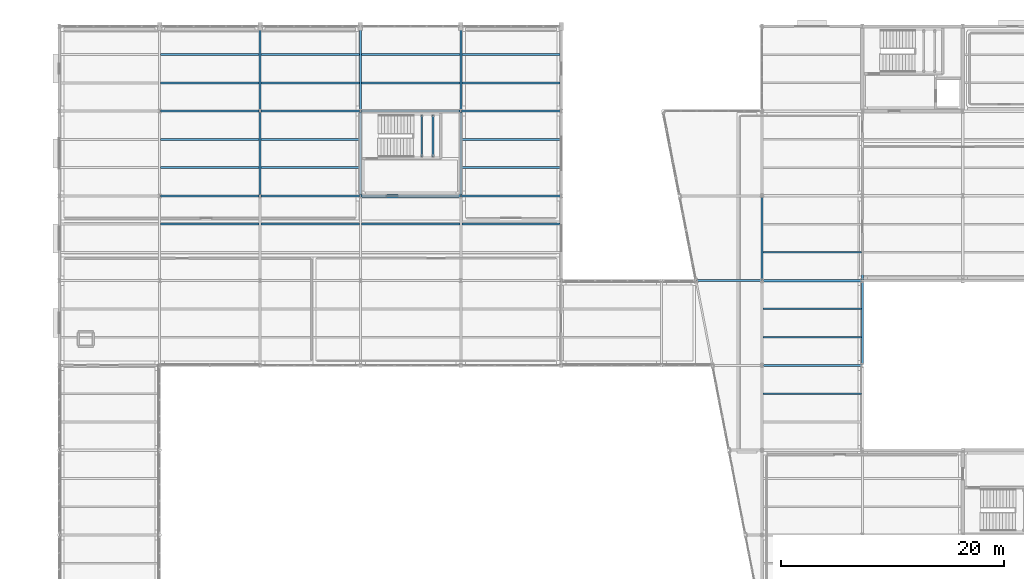
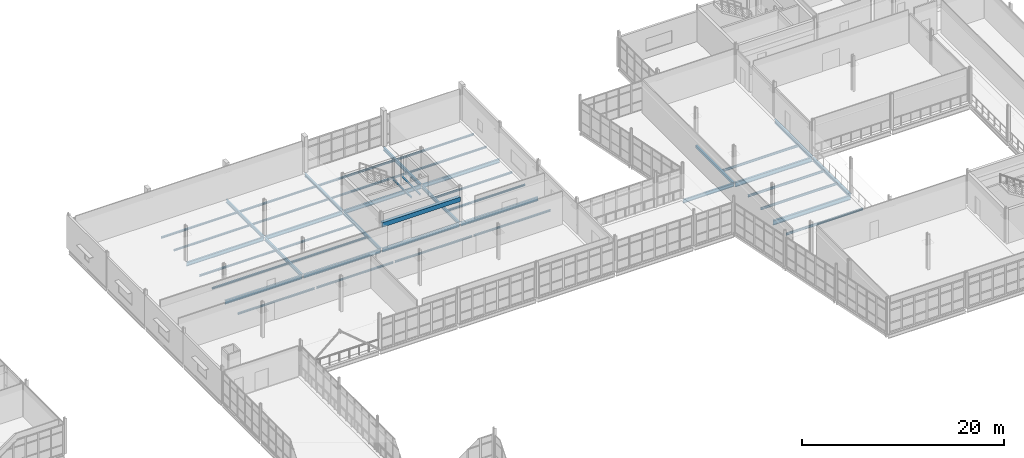
# One storey, part 98 of 174: 45 beams.
"""IFC4 building model written with IfcOpenShell, lengths in metres."""

from ifc_helpers import new_model, si_unit, direction, frame, origin, origin_2d, place, context, subcontext, project, spatial, rectangle, hollow_rectangle, i_section, extrude, material, material_profile, profile_set, type_object, element, save


model = new_model("IFC4")

# Units and contexts
model_context = context("Model", 3, precision=1e-05, world=origin(), true_north=direction((0.0, 1.0)))
body_context = subcontext(model_context, "Body", "Model", "MODEL_VIEW")
ifc_project = project(units=[si_unit("LENGTHUNIT", "METRE"), si_unit("AREAUNIT", "SQUARE_METRE"), si_unit("VOLUMEUNIT", "CUBIC_METRE"), si_unit("PLANEANGLEUNIT", "RADIAN"), si_unit("MASSUNIT", "GRAM", prefix="KILO")], contexts=[model_context])

# Site, building, storey
site_placement = place(None, origin())
site = spatial("IfcSite", under=ifc_project, at=site_placement, CompositionType="ELEMENT")
building_placement = place(site_placement, origin())
building = spatial("IfcBuilding", under=site, at=building_placement, Name="Caisbarro Railhouse Central Library", CompositionType="ELEMENT")
storey_placement = place(building_placement, frame((0.0, 0.0, 5.0400390625)))
storey = spatial("IfcBuildingStorey", under=building, at=storey_placement, Name="L01", CompositionType="ELEMENT", Elevation=5.0400390625)

# Beams
ifc_material_1 = material(Name="Steel ASTM A572 Grade 50", Category="steel")
ifc_material_profile_1 = material_profile(ifc_material_1, i_section(OverallWidth=0.208984375, OverallDepth=0.532958984375, WebThickness=0.01025390625, FlangeThickness=0.015625, FilletRadius=0.02001953125, at=origin_2d()), Name="W530X92.0")
ifc_profile_set_1 = profile_set([ifc_material_profile_1], Name="Steel ASTM A572 Grade 50")
beam_type_1 = type_object("IfcBeamType", Name="BM-G06", PredefinedType="BEAM", material=ifc_profile_set_1)
for number, where, z_axis, x_axis, name in (
    (1, (117.080078125, 83.60009765625, -0.486572265625), (1.0, 0.0, 0.0), (0.0, 1.0, 0.0), "G06 beam L01 #913"),
    (2, (117.080078125, 91.199951171875, -0.486572265625), (1.0, 0.0, 0.0), (0.0, 1.0, 0.0), "G06 beam L01 #915"),
):
    element("IfcBeam", number, at=place(storey_placement, frame(where, z_axis=z_axis, x_axis=x_axis)), inside=storey, type_object=beam_type_1, Name=name, PredefinedType="BEAM", context=body_context, shape_type="SweptSolid", body=[
        extrude(i_section(OverallWidth=0.208984375, OverallDepth=0.532958984375, WebThickness=0.01025390625, FlangeThickness=0.015625, FilletRadius=0.02001953125, at=origin_2d()), origin(), (0.0, 0.0, 1.0), 8.83984375),
    ])
ifc_material_profile_2 = material_profile(ifc_material_1, i_section(OverallWidth=0.18994140625, OverallDepth=0.45703125, WebThickness=0.009033203125, FlangeThickness=0.014404296875, FilletRadius=0.01806640625, at=origin_2d()), Name="W460X74.0")
ifc_profile_set_2 = profile_set([ifc_material_profile_2], Name="Steel ASTM A572 Grade 50")
beam_type_2 = type_object("IfcBeamType", Name="BM-G08", PredefinedType="BEAM", material=ifc_profile_set_2)
beam_1_placement = place(storey_placement, frame((126.0, 83.679931640625, -0.448486328125), z_axis=(0.0, 1.0, 0.0), x_axis=(-1.0, 0.0, 0.0)))
element("IfcBeam", 3, at=beam_1_placement, inside=storey, type_object=beam_type_2, Name="G08 beam L01 #941", PredefinedType="BEAM", context=body_context, shape_type="SweptSolid", body=[
    extrude(i_section(OverallWidth=0.18994140625, OverallDepth=0.45703125, WebThickness=0.009033203125, FlangeThickness=0.014404296875, FilletRadius=0.01806640625, at=origin_2d()), origin(), (0.0, 0.0, 1.0), 7.440185546875),
])
beam_2_placement = place(storey_placement, frame((126.0, 91.280029296875, -0.448486328125), z_axis=(0.0, 1.0, 0.0), x_axis=(-1.0, 0.0, 0.0)))
element("IfcBeam", 4, at=beam_2_placement, inside=storey, type_object=beam_type_2, Name="G08 beam L01 #942", PredefinedType="BEAM", context=body_context, shape_type="SweptSolid", body=[
    extrude(i_section(OverallWidth=0.18994140625, OverallDepth=0.45703125, WebThickness=0.009033203125, FlangeThickness=0.014404296875, FilletRadius=0.01806640625, at=origin_2d()), origin(), (0.0, 0.0, 1.0), 7.43994140625),
])
for number, where, z_axis, x_axis, name in (
    (5, (63.080078125, 98.800048828125, -0.428466796875), (1.0, 0.0, 0.0), (0.0, 1.0, 0.0), "G08 beam L01 #1170"),
    (6, (72.080078125, 98.800048828125, -0.428466796875), (1.0, 0.0, 0.0), (0.0, 1.0, 0.0), "G08 beam L01 #1171"),
    (7, (81.080078125, 98.800048828125, -0.428466796875), (1.0, 0.0, 0.0), (0.0, 1.0, 0.0), "G08 beam L01 #1172"),
    (8, (90.080078125, 98.800048828125, -0.428466796875), (1.0, 0.0, 0.0), (0.0, 1.0, 0.0), "G08 beam L01 #1173"),
    (9, (63.080078125, 106.39990234375, -0.428466796875), (1.0, 0.0, 0.0), (0.0, 1.0, 0.0), "G08 beam L01 #1175"),
    (10, (72.080078125, 106.39990234375, -0.428466796875), (1.0, 0.0, 0.0), (0.0, 1.0, 0.0), "G08 beam L01 #1176"),
    (11, (81.080078125, 106.39990234375, -0.428466796875), (1.0, 0.0, 0.0), (0.0, 1.0, 0.0), "G08 beam L01 #1177"),
    (12, (90.080078125, 106.39990234375, -0.428466796875), (1.0, 0.0, 0.0), (0.0, 1.0, 0.0), "G08 beam L01 #1178"),
):
    element("IfcBeam", number, at=place(storey_placement, frame(where, z_axis=z_axis, x_axis=x_axis)), inside=storey, type_object=beam_type_2, Name=name, PredefinedType="BEAM", context=body_context, shape_type="SweptSolid", body=[
        extrude(i_section(OverallWidth=0.18994140625, OverallDepth=0.45703125, WebThickness=0.009033203125, FlangeThickness=0.014404296875, FilletRadius=0.01806640625, at=origin_2d()), origin(), (0.0, 0.0, 1.0), 8.83984375),
    ])
ifc_material_profile_3 = material_profile(ifc_material_1, i_section(OverallWidth=0.180908203125, OverallDepth=0.4169921875, WebThickness=0.010986328125, FlangeThickness=0.018310546875, FilletRadius=0.01611328125, at=origin_2d()), Name="W410X85.0")
ifc_profile_set_3 = profile_set([ifc_material_profile_3], Name="Steel ASTM A572 Grade 50")
beam_type_3 = type_object("IfcBeamType", Name="BM-G09", PredefinedType="BEAM", material=ifc_profile_set_3)
beam_3_placement = place(storey_placement, frame((111.131103515625, 91.199951171875, -0.428466796875), z_axis=(1.0, 0.0, 0.0), x_axis=(0.0, 1.0, 0.0)))
element("IfcBeam", 13, at=beam_3_placement, inside=storey, type_object=beam_type_3, Name="G09 beam L01 #1274", PredefinedType="BEAM", context=body_context, shape_type="SweptSolid", body=[
    extrude(i_section(OverallWidth=0.180908203125, OverallDepth=0.4169921875, WebThickness=0.010986328125, FlangeThickness=0.018310546875, FilletRadius=0.01611328125, at=origin_2d()), origin(), (0.0, 0.0, 1.0), 5.828857421875),
])
ifc_material_profile_4 = material_profile(ifc_material_1, i_section(OverallWidth=0.177978515625, OverallDepth=0.406982421875, WebThickness=0.0078125, FlangeThickness=0.0126953125, FilletRadius=0.01611328125, at=origin_2d()), Name="W410X60.0")
ifc_profile_set_4 = profile_set([ifc_material_profile_4], Name="Steel ASTM A572 Grade 50")
beam_type_4 = type_object("IfcBeamType", Name="BM-G10", PredefinedType="BEAM", material=ifc_profile_set_4)
beam_4_placement = place(storey_placement, frame((72.0, 98.8798828125, -0.403564453125), z_axis=(0.0, 1.0, 0.0), x_axis=(-1.0, 0.0, 0.0)))
element("IfcBeam", 14, at=beam_4_placement, inside=storey, type_object=beam_type_4, Name="G10 beam L01 #1194", PredefinedType="BEAM", context=body_context, shape_type="SweptSolid", body=[
    extrude(i_section(OverallWidth=0.177978515625, OverallDepth=0.406982421875, WebThickness=0.0078125, FlangeThickness=0.0126953125, FilletRadius=0.01611328125, at=origin_2d()), origin(), (0.0, 0.0, 1.0), 7.440185546875),
])
beam_5_placement = place(storey_placement, frame((72.0, 106.47998046875, -0.403564453125), z_axis=(0.0, 1.0, 0.0), x_axis=(-1.0, 0.0, 0.0)))
element("IfcBeam", 15, at=beam_5_placement, inside=storey, type_object=beam_type_4, Name="G10 beam L01 #1195", PredefinedType="BEAM", context=body_context, shape_type="SweptSolid", body=[
    extrude(i_section(OverallWidth=0.177978515625, OverallDepth=0.406982421875, WebThickness=0.0078125, FlangeThickness=0.0126953125, FilletRadius=0.01611328125, at=origin_2d()), origin(), (0.0, 0.0, 1.0), 7.43994140625),
])
beam_6_placement = place(storey_placement, frame((81.0, 98.8798828125, -0.403564453125), z_axis=(0.0, 1.0, 0.0), x_axis=(-1.0, 0.0, 0.0)))
element("IfcBeam", 16, at=beam_6_placement, inside=storey, type_object=beam_type_4, Name="G10 beam L01 #1198", PredefinedType="BEAM", context=body_context, shape_type="SweptSolid", body=[
    extrude(i_section(OverallWidth=0.177978515625, OverallDepth=0.406982421875, WebThickness=0.0078125, FlangeThickness=0.0126953125, FilletRadius=0.01611328125, at=origin_2d()), origin(), (0.0, 0.0, 1.0), 7.440185546875),
])
beam_7_placement = place(storey_placement, frame((81.0, 106.47998046875, -0.403564453125), z_axis=(0.0, 1.0, 0.0), x_axis=(-1.0, 0.0, 0.0)))
element("IfcBeam", 17, at=beam_7_placement, inside=storey, type_object=beam_type_4, Name="G10 beam L01 #1199", PredefinedType="BEAM", context=body_context, shape_type="SweptSolid", body=[
    extrude(i_section(OverallWidth=0.177978515625, OverallDepth=0.406982421875, WebThickness=0.0078125, FlangeThickness=0.0126953125, FilletRadius=0.01611328125, at=origin_2d()), origin(), (0.0, 0.0, 1.0), 7.43994140625),
])
beam_8_placement = place(storey_placement, frame((90.0, 98.8798828125, -0.403564453125), z_axis=(0.0, 1.0, 0.0), x_axis=(-1.0, 0.0, 0.0)))
element("IfcBeam", 18, at=beam_8_placement, inside=storey, type_object=beam_type_4, Name="G10 beam L01 #1202", PredefinedType="BEAM", context=body_context, shape_type="SweptSolid", body=[
    extrude(i_section(OverallWidth=0.177978515625, OverallDepth=0.406982421875, WebThickness=0.0078125, FlangeThickness=0.0126953125, FilletRadius=0.01611328125, at=origin_2d()), origin(), (0.0, 0.0, 1.0), 7.440185546875),
])
beam_9_placement = place(storey_placement, frame((90.0, 106.47998046875, -0.403564453125), z_axis=(0.0, 1.0, 0.0), x_axis=(-1.0, 0.0, 0.0)))
element("IfcBeam", 19, at=beam_9_placement, inside=storey, type_object=beam_type_4, Name="G10 beam L01 #1203", PredefinedType="BEAM", context=body_context, shape_type="SweptSolid", body=[
    extrude(i_section(OverallWidth=0.177978515625, OverallDepth=0.406982421875, WebThickness=0.0078125, FlangeThickness=0.0126953125, FilletRadius=0.01611328125, at=origin_2d()), origin(), (0.0, 0.0, 1.0), 7.43994140625),
])
ifc_material_profile_5 = material_profile(ifc_material_1, i_section(OverallWidth=0.14794921875, OverallDepth=0.26611328125, WebThickness=0.007568359375, FlangeThickness=0.012939453125, FilletRadius=0.010009765625, at=origin_2d()), Name="W250X44.8")
ifc_profile_set_5 = profile_set([ifc_material_profile_5], Name="Steel ASTM A572 Grade 50")
beam_type_5 = type_object("IfcBeamType", Name="BM-J04", PredefinedType="JOIST", material=ifc_profile_set_5)
for number, where, z_axis, x_axis, name in (
    (20, (117.10009765625, 81.066650390625, -0.35302734375), (1.0, 0.0, 0.0), (0.0, 1.0, 0.0), "J04 beam L01 #969"),
    (21, (117.10009765625, 86.13330078125, -0.35302734375), (1.0, 0.0, 0.0), (0.0, 1.0, 0.0), "J04 beam L01 #970"),
    (22, (117.10009765625, 88.666748046875, -0.35302734375), (1.0, 0.0, 0.0), (0.0, 1.0, 0.0), "J04 beam L01 #971"),
    (23, (117.10009765625, 93.7333984375, -0.35302734375), (1.0, 0.0, 0.0), (0.0, 1.0, 0.0), "J04 beam L01 #972"),
):
    element("IfcBeam", number, at=place(storey_placement, frame(where, z_axis=z_axis, x_axis=x_axis)), inside=storey, type_object=beam_type_5, Name=name, PredefinedType="JOIST", context=body_context, shape_type="SweptSolid", body=[
        extrude(i_section(OverallWidth=0.14794921875, OverallDepth=0.26611328125, WebThickness=0.007568359375, FlangeThickness=0.012939453125, FilletRadius=0.010009765625, at=origin_2d()), origin(), (0.0, 0.0, 1.0), 8.804931640625),
    ])
ifc_material_profile_6 = material_profile(ifc_material_1, i_section(OverallWidth=0.1650390625, OverallDepth=0.200927734375, WebThickness=0.006103515625, FlangeThickness=0.01025390625, FilletRadius=0.010009765625, at=origin_2d()), Name="W200X35.9")
ifc_profile_set_6 = profile_set([ifc_material_profile_6], Name="Steel ASTM A572 Grade 50")
beam_type_6 = type_object("IfcBeamType", Name="BM-J06", PredefinedType="JOIST", material=ifc_profile_set_6)
for number, where, z_axis, x_axis, name in (
    (24, (63.089111328125, 96.2666015625, -0.300537109375), (1.0, 0.0, 0.0), (0.0, 1.0, 0.0), "J06 beam L01 #1219"),
    (25, (63.089111328125, 101.333251953125, -0.300537109375), (1.0, 0.0, 0.0), (0.0, 1.0, 0.0), "J06 beam L01 #1220"),
    (26, (63.089111328125, 103.86669921875, -0.300537109375), (1.0, 0.0, 0.0), (0.0, 1.0, 0.0), "J06 beam L01 #1221"),
    (27, (63.089111328125, 108.933349609375, -0.300537109375), (1.0, 0.0, 0.0), (0.0, 1.0, 0.0), "J06 beam L01 #1222"),
    (28, (63.089111328125, 111.466796875, -0.300537109375), (1.0, 0.0, 0.0), (0.0, 1.0, 0.0), "J06 beam L01 #1223"),
    (29, (72.089111328125, 96.2666015625, -0.300537109375), (1.0, 0.0, 0.0), (0.0, 1.0, 0.0), "J06 beam L01 #1227"),
    (30, (72.089111328125, 101.333251953125, -0.300537109375), (1.0, 0.0, 0.0), (0.0, 1.0, 0.0), "J06 beam L01 #1228"),
    (31, (72.089111328125, 103.86669921875, -0.300537109375), (1.0, 0.0, 0.0), (0.0, 1.0, 0.0), "J06 beam L01 #1229"),
    (32, (72.089111328125, 108.933349609375, -0.300537109375), (1.0, 0.0, 0.0), (0.0, 1.0, 0.0), "J06 beam L01 #1230"),
    (33, (72.089111328125, 111.466796875, -0.300537109375), (1.0, 0.0, 0.0), (0.0, 1.0, 0.0), "J06 beam L01 #1231"),
    (34, (81.089111328125, 96.2666015625, -0.300537109375), (1.0, 0.0, 0.0), (0.0, 1.0, 0.0), "J06 beam L01 #1235"),
    (35, (81.089111328125, 108.933349609375, -0.300537109375), (1.0, 0.0, 0.0), (0.0, 1.0, 0.0), "J06 beam L01 #1236"),
    (36, (81.089111328125, 111.466796875, -0.300537109375), (1.0, 0.0, 0.0), (0.0, 1.0, 0.0), "J06 beam L01 #1237"),
    (37, (90.089111328125, 96.2666015625, -0.300537109375), (1.0, 0.0, 0.0), (0.0, 1.0, 0.0), "J06 beam L01 #1241"),
    (38, (90.089111328125, 101.333251953125, -0.300537109375), (1.0, 0.0, 0.0), (0.0, 1.0, 0.0), "J06 beam L01 #1242"),
    (39, (90.089111328125, 103.86669921875, -0.300537109375), (1.0, 0.0, 0.0), (0.0, 1.0, 0.0), "J06 beam L01 #1243"),
    (40, (90.089111328125, 108.933349609375, -0.300537109375), (1.0, 0.0, 0.0), (0.0, 1.0, 0.0), "J06 beam L01 #1244"),
    (41, (90.089111328125, 111.466796875, -0.300537109375), (1.0, 0.0, 0.0), (0.0, 1.0, 0.0), "J06 beam L01 #1245"),
):
    element("IfcBeam", number, at=place(storey_placement, frame(where, z_axis=z_axis, x_axis=x_axis)), inside=storey, type_object=beam_type_6, Name=name, PredefinedType="JOIST", context=body_context, shape_type="SweptSolid", body=[
        extrude(i_section(OverallWidth=0.1650390625, OverallDepth=0.200927734375, WebThickness=0.006103515625, FlangeThickness=0.01025390625, FilletRadius=0.010009765625, at=origin_2d()), origin(), (0.0, 0.0, 1.0), 8.82177734375),
    ])
ifc_material_2 = material(Name="Concrete C40", Category="concrete")
ifc_material_profile_7 = material_profile(ifc_material_2, rectangle(XDim=0.35009765625, YDim=0.550048828125, at=origin_2d()), Name="RC-LIN-350X550")
ifc_profile_set_7 = profile_set([ifc_material_profile_7], Name="Concrete C40")
beam_type_7 = type_object("IfcBeamType", Name="BM-LN01", PredefinedType="LINTEL", material=ifc_profile_set_7)
beam_10_placement = place(storey_placement, frame((81.050048828125, 98.800048828125, 2.724853515625), z_axis=(1.0, 0.0, 0.0), x_axis=(0.0, 1.0, 0.0)))
element("IfcBeam", 42, at=beam_10_placement, inside=storey, type_object=beam_type_7, Name="LN01 RC core coupling lintel K5 L01", PredefinedType="LINTEL", context=body_context, shape_type="SweptSolid", body=[
    extrude(rectangle(XDim=0.35009765625, YDim=0.550048828125, at=origin_2d()), origin(), (0.0, 0.0, 1.0), 8.89990234375),
])
ifc_material_profile_8 = material_profile(ifc_material_1, i_section(OverallWidth=0.152099609375, OverallDepth=0.152099609375, WebThickness=0.005859375, FlangeThickness=0.006591796875, FilletRadius=0.008056640625, at=origin_2d()), Name="W150X22.5")
ifc_profile_set_8 = profile_set([ifc_material_profile_8], Name="Steel ASTM A572 Grade 50")
beam_type_8 = type_object("IfcBeamType", Name="BM-SL01", PredefinedType="BEAM", material=ifc_profile_set_8)
for number, where, z_axis, x_axis, name in (
    (43, (86.5, 102.330078125, 1.89404296875), (0.0, 1.0, 0.0), (-1.0, 0.0, 0.0), "SL01 Stair Landing Support Beam K5 L01 W"),
    (44, (87.5, 102.330078125, 1.89404296875), (0.0, 1.0, 0.0), (-1.0, 0.0, 0.0), "SL01 Stair Landing Support Beam K5 L01 E"),
):
    element("IfcBeam", number, at=place(storey_placement, frame(where, z_axis=z_axis, x_axis=x_axis)), inside=storey, type_object=beam_type_8, Name=name, PredefinedType="BEAM", context=body_context, shape_type="SweptSolid", body=[
        extrude(i_section(OverallWidth=0.152099609375, OverallDepth=0.152099609375, WebThickness=0.005859375, FlangeThickness=0.006591796875, FilletRadius=0.008056640625, at=origin_2d()), origin(), (0.0, 0.0, 1.0), 3.68994140625),
    ])
ifc_material_profile_9 = material_profile(ifc_material_1, hollow_rectangle(XDim=0.199951171875, YDim=0.300048828125, WallThickness=0.012451171875, at=origin_2d()), Name="HSS300X200X12.5")
ifc_profile_set_9 = profile_set([ifc_material_profile_9], Name="Steel ASTM A572 Grade 50")
beam_type_9 = type_object("IfcBeamType", Name="BM-SP02", PredefinedType="SPANDREL", material=ifc_profile_set_9)
beam_11_placement = place(storey_placement, frame((117.0, 91.280029296875, -0.3701171875), z_axis=(0.0, 1.0, 0.0), x_axis=(-1.0, 0.0, 0.0)))
element("IfcBeam", 45, at=beam_11_placement, inside=storey, type_object=beam_type_9, Name="SP02 beam L01 #935", PredefinedType="SPANDREL", context=body_context, shape_type="SweptSolid", body=[
    extrude(hollow_rectangle(XDim=0.199951171875, YDim=0.300048828125, WallThickness=0.012451171875, at=origin_2d()), origin(), (0.0, 0.0, 1.0), 7.43994140625),
])

save(model, "model.ifc")
